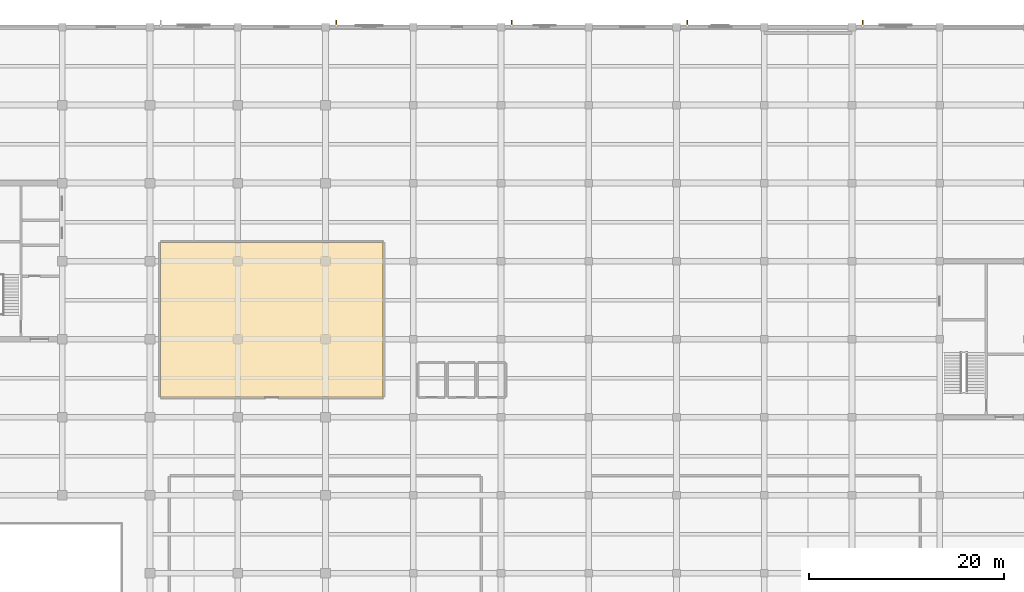
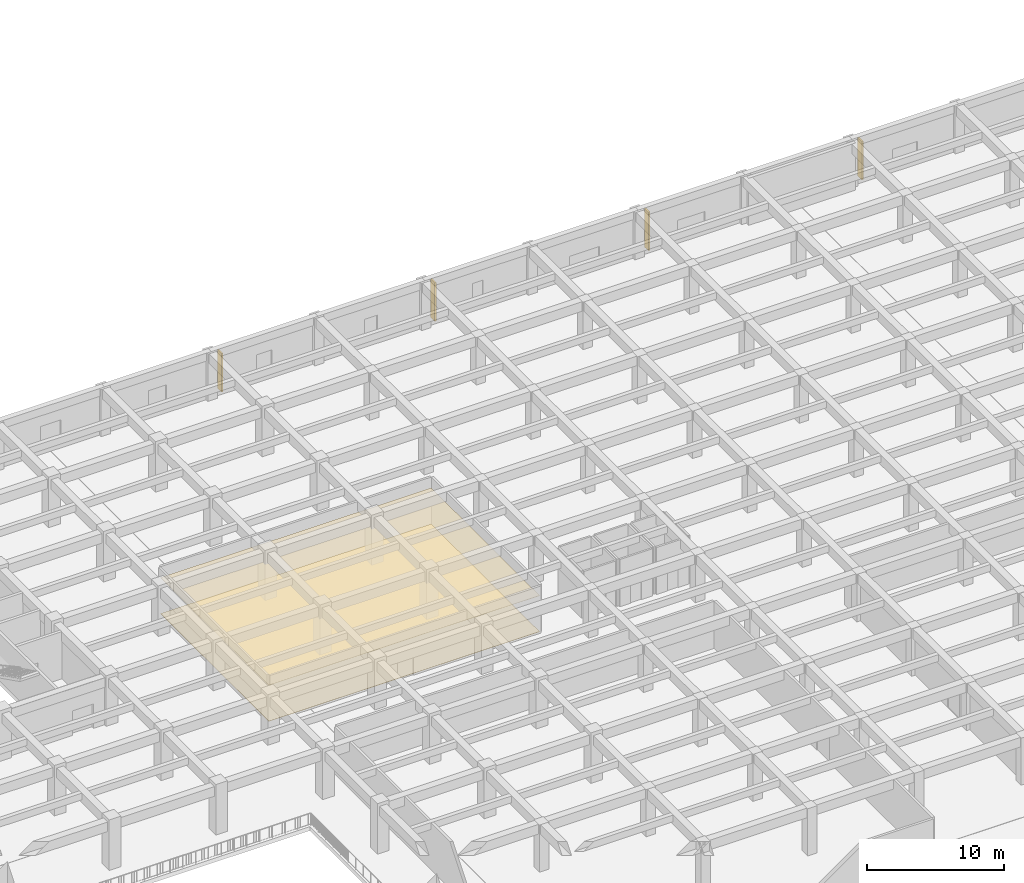
# One storey, part 30 of 32: 4 shading devices, 2 coverings.
"""IFC4 building model written with IfcOpenShell, lengths in metres."""

from ifc_helpers import new_model, si_unit, direction, frame, frame_2d, origin, place, context, subcontext, project, spatial, polyline, rectangle, outline, extrude, material, layer, layer_set, type_object, element, save


model = new_model("IFC4")

# Units and contexts
model_context = context("Model", 3, precision=1e-05, world=origin(), true_north=direction((0.0, 1.0)))
body_context = subcontext(model_context, "Body", "Model", "MODEL_VIEW")
ifc_project = project(units=[si_unit("LENGTHUNIT", "METRE"), si_unit("AREAUNIT", "SQUARE_METRE"), si_unit("VOLUMEUNIT", "CUBIC_METRE"), si_unit("PLANEANGLEUNIT", "RADIAN"), si_unit("MASSUNIT", "GRAM", prefix="KILO")], contexts=[model_context])

# Site, building, storey
site_placement = place(None, origin())
site = spatial("IfcSite", under=ifc_project, at=site_placement, CompositionType="ELEMENT")
building_placement = place(site_placement, origin())
building = spatial("IfcBuilding", under=site, at=building_placement, Name="Zaverband Oceanarium and Marine Research Institute", CompositionType="ELEMENT")
storey_placement = place(building_placement, frame((0.0, 0.0, 13.5)))
storey = spatial("IfcBuildingStorey", under=building, at=storey_placement, Name="L03", CompositionType="ELEMENT", Elevation=13.5)

# Coverings
ifc_material_1 = material(Name="Perforated mineral-fibre acoustic ceiling tile")
ifc_layer_1 = layer(ifc_material_1, 0.02490234375, Name="Perforated mineral-fibre acoustic ceiling tile")
ifc_layer_set_1 = layer_set([ifc_layer_1], Name="Perforated mineral-fibre acoustic ceiling tile")
covering_type_1 = type_object("IfcCoveringType", Name="CLG-AC-15", PredefinedType="CEILING", material=ifc_layer_set_1)
covering_1_placement = place(storey_placement, frame((0.0, 0.0, 3.2099609375)))
element("IfcCovering", 1, at=covering_1_placement, inside=storey, type_object=covering_type_1, Name="Suspended acoustic ceiling CLG-AC-15", PredefinedType="CEILING", context=body_context, shape_type="SweptSolid", body=[
    extrude(outline(polyline([(55.090087890625, 82.090087890625), (77.909912109375, 82.090087890625), (77.909912109375, 97.909912109375), (55.090087890625, 97.909912109375), (55.090087890625, 82.090087890625)])), origin(), (0.0, 0.0, 1.0), 0.025146484375),
])
ifc_material_2 = material(Name="Polished marine terrazzo and seamless laboratory epoxy flooring")
ifc_layer_2 = layer(ifc_material_2, 0.02490234375, Name="Polished marine terrazzo and seamless laboratory epoxy flooring")
ifc_layer_set_2 = layer_set([ifc_layer_2], Name="Polished marine terrazzo and seamless laboratory epoxy flooring")
covering_type_2 = type_object("IfcCoveringType", Name="FLR-TRZ-20", PredefinedType="FLOORING", material=ifc_layer_set_2)
covering_2_placement = place(storey_placement, origin())
element("IfcCovering", 2, at=covering_2_placement, inside=storey, type_object=covering_type_2, Name="Terrazzo and marine epoxy floor finish FLR-TRZ-20", PredefinedType="FLOORING", context=body_context, shape_type="SweptSolid", body=[
    extrude(outline(polyline([(55.090087890625, 82.090087890625), (77.909912109375, 82.090087890625), (77.909912109375, 97.909912109375), (55.090087890625, 97.909912109375), (55.090087890625, 82.090087890625)])), origin(), (0.0, 0.0, 1.0), 0.02490234375),
])

# Shading devices
ifc_material_3 = material(Name="Concrete C40/50 precast brise-soleil", Category="concrete")
ifc_layer_3 = layer(ifc_material_3, 0.139892578125, Name="Concrete C40/50 precast brise-soleil")
ifc_layer_set_3 = layer_set([ifc_layer_3], Name="Concrete C40/50 precast brise-soleil")
shading_device_type = type_object("IfcShadingDeviceType", Name="SHD-FIN-600", PredefinedType="JALOUSIE", material=ifc_layer_set_3)
shading_device_1_placement = place(storey_placement, frame((73.10498046875, 120.112548828125, 0.0), z_axis=(0.0, 0.0, 1.0), x_axis=(0.0, 1.0, 0.0)))
element("IfcShadingDevice", 3, at=shading_device_1_placement, inside=storey, type_object=shading_device_type, Name="600 mm vertical precast brise-soleil fin SHD-FIN-600", PredefinedType="JALOUSIE", context=body_context, shape_type="SweptSolid", body=[
    extrude(rectangle(XDim=0.599853515625, YDim=0.139892578125, at=frame_2d((0.2998046875, 0.0))), origin(), (0.0, 0.0, 1.0), 3.429931640625),
])
shading_device_2_placement = place(storey_placement, frame((91.10498046875, 120.135009765625, 0.0), z_axis=(0.0, 0.0, 1.0), x_axis=(0.0, 1.0, 0.0)))
element("IfcShadingDevice", 4, at=shading_device_2_placement, inside=storey, type_object=shading_device_type, Name="600 mm vertical precast brise-soleil fin SHD-FIN-600", PredefinedType="JALOUSIE", context=body_context, shape_type="SweptSolid", body=[
    extrude(rectangle(XDim=0.60009765625, YDim=0.139892578125, at=frame_2d((0.300048828125, 0.0))), origin(), (0.0, 0.0, 1.0), 3.429931640625),
])
shading_device_3_placement = place(storey_placement, frame((109.10498046875, 120.112548828125, 0.0), z_axis=(0.0, 0.0, 1.0), x_axis=(0.0, 1.0, 0.0)))
element("IfcShadingDevice", 5, at=shading_device_3_placement, inside=storey, type_object=shading_device_type, Name="600 mm vertical precast brise-soleil fin SHD-FIN-600", PredefinedType="JALOUSIE", context=body_context, shape_type="SweptSolid", body=[
    extrude(rectangle(XDim=0.599853515625, YDim=0.139892578125, at=frame_2d((0.2998046875, 0.0))), origin(), (0.0, 0.0, 1.0), 3.429931640625),
])
shading_device_4_placement = place(storey_placement, frame((127.10498046875, 120.135009765625, 0.0), z_axis=(0.0, 0.0, 1.0), x_axis=(0.0, 1.0, 0.0)))
element("IfcShadingDevice", 6, at=shading_device_4_placement, inside=storey, type_object=shading_device_type, Name="600 mm vertical precast brise-soleil fin SHD-FIN-600", PredefinedType="JALOUSIE", context=body_context, shape_type="SweptSolid", body=[
    extrude(rectangle(XDim=0.60009765625, YDim=0.139892578125, at=frame_2d((0.300048828125, 0.0))), origin(), (0.0, 0.0, 1.0), 3.429931640625),
])

save(model, "model.ifc")
